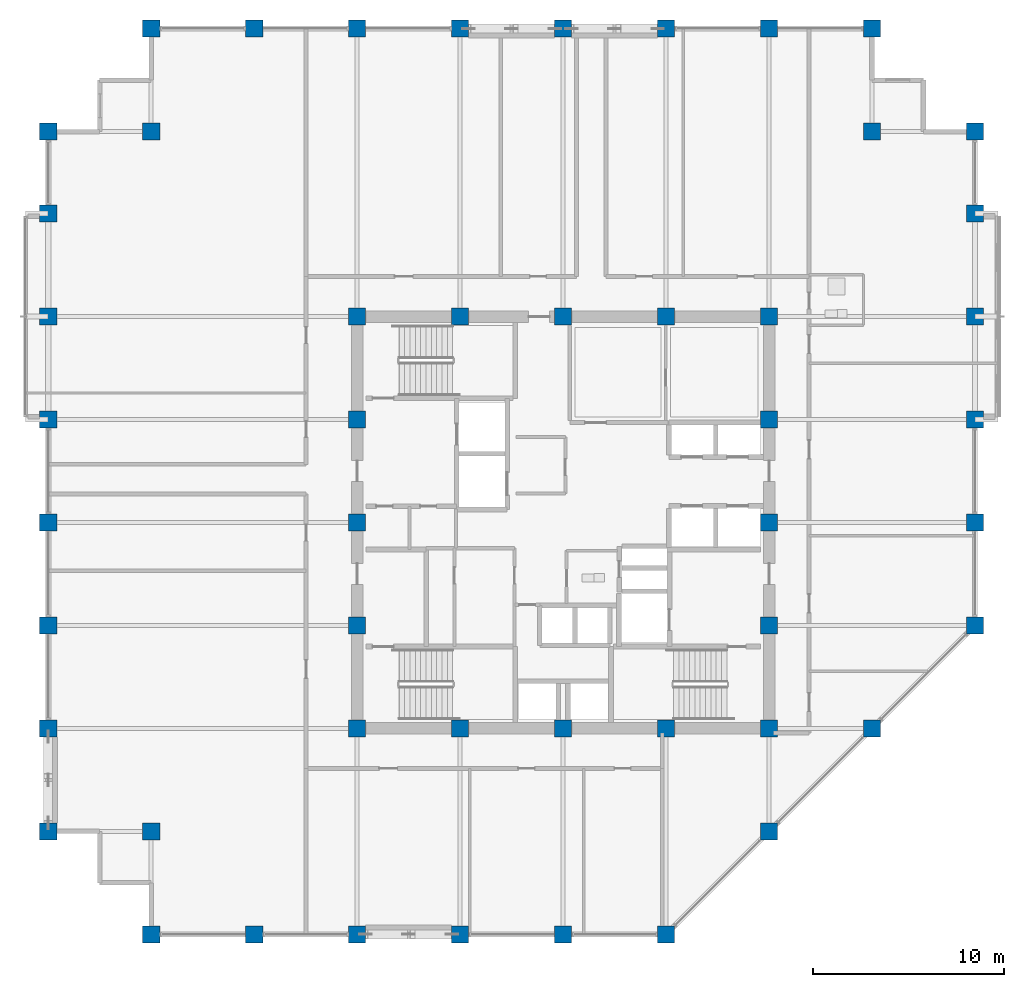
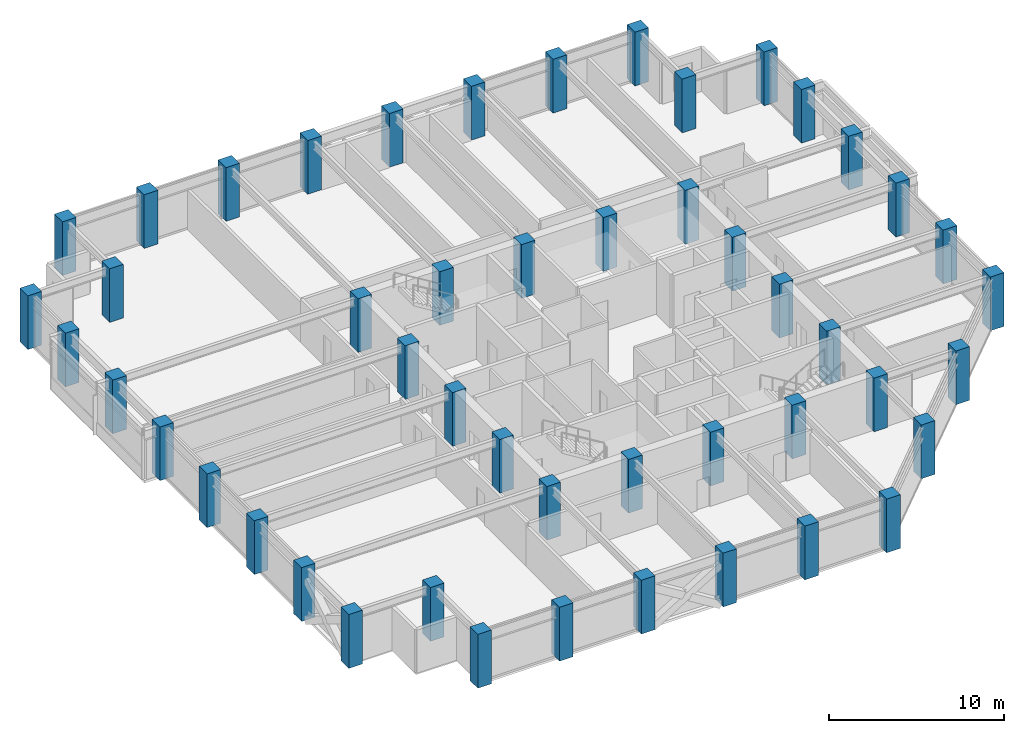
# One storey, part 1 of 32: 49 columns.
"""IFC4 building model written with IfcOpenShell, lengths in metres."""

from ifc_helpers import new_model, si_unit, direction, frame, origin, origin_2d, place, context, subcontext, project, spatial, rectangle, extrude, material, material_profile, profile_set, type_object, element, save


model = new_model("IFC4")

# Units and contexts
model_context = context("Model", 3, precision=1e-05, world=origin(), true_north=direction((0.0, 1.0)))
body_context = subcontext(model_context, "Body", "Model", "MODEL_VIEW")
ifc_project = project(units=[si_unit("LENGTHUNIT", "METRE"), si_unit("AREAUNIT", "SQUARE_METRE"), si_unit("VOLUMEUNIT", "CUBIC_METRE"), si_unit("PLANEANGLEUNIT", "RADIAN"), si_unit("MASSUNIT", "GRAM", prefix="KILO")], contexts=[model_context])

# Site, building, storey
site_placement = place(None, origin())
site = spatial("IfcSite", under=ifc_project, at=site_placement, CompositionType="ELEMENT")
building_placement = place(site_placement, origin())
building = spatial("IfcBuilding", under=site, at=building_placement, Name="Surkhivell Harbour Commons", CompositionType="ELEMENT")
storey_placement = place(building_placement, frame((0.0, 0.0, 189.75)))
storey = spatial("IfcBuildingStorey", under=building, at=storey_placement, Name="L49", CompositionType="ELEMENT", Elevation=189.75)

# Columns
ifc_material = material(Name="Concrete C60/75", Category="concrete")
ifc_material_profile = material_profile(ifc_material, rectangle(XDim=0.89990234375, YDim=0.89990234375, at=origin_2d()), Name="RC-COL-900x900")
ifc_profile_set = profile_set([ifc_material_profile], Name="Concrete C60/75")
column_type = type_object("IfcColumnType", Name="COL-TUBE-Z3A", PredefinedType="COLUMN", material=ifc_profile_set)
for number, where, z_axis, x_axis, name in (
    (1, (-27.0, -16.199951171875, 0.0), (0.0, 0.0, 1.0), (1.0, 0.0, 0.0), "L49 Column CT-3A (-27.0,-16.2)"),
    (2, (-27.0, -10.800048828125, 0.0), (0.0, 0.0, 1.0), (1.0, 0.0, 0.0), "L49 Column CT-3A (-27.0,-10.8)"),
    (3, (-27.0, -5.39990234375, 0.0), (0.0, 0.0, 1.0), (1.0, 0.0, 0.0), "L49 Column CT-3A (-27.0,-5.4)"),
    (4, (-27.0, 0.0, 0.0), (0.0, 0.0, 1.0), (1.0, 0.0, 0.0), "L49 Column CT-3A (-27.0,0.0)"),
    (5, (-27.0, 5.39990234375, 0.0), (0.0, 0.0, 1.0), (1.0, 0.0, 0.0), "L49 Column CT-3A (-27.0,5.4)"),
    (6, (-27.0, 10.800048828125, 0.0), (0.0, 0.0, 1.0), (1.0, 0.0, 0.0), "L49 Column CT-3A (-27.0,10.8)"),
    (7, (-27.0, 16.199951171875, 0.0), (0.0, 0.0, 1.0), (1.0, 0.0, 0.0), "L49 Column CT-3A (-27.0,16.2)"),
    (8, (-27.0, 20.5, 0.0), (0.0, 0.0, 1.0), (1.0, 0.0, 0.0), "L49 Column CT-3A (-27.0,20.5)"),
    (9, (-21.60009765625, -21.60009765625, 0.0), (0.0, 0.0, 1.0), (1.0, 0.0, 0.0), "L49 Column CT-3A (-21.6,-21.6)"),
    (10, (-21.60009765625, -16.199951171875, 0.0), (0.0, 0.0, 1.0), (1.0, 0.0, 0.0), "L49 Column CT-3A (-21.6,-16.2)"),
    (11, (-21.60009765625, 20.5, 0.0), (0.0, 0.0, 1.0), (1.0, 0.0, 0.0), "L49 Column CT-3A (-21.6,20.5)"),
    (12, (-21.60009765625, 25.89990234375, 0.0), (0.0, 0.0, 1.0), (1.0, 0.0, 0.0), "L49 Column CT-3A (-21.6,25.9)"),
    (13, (-16.199951171875, -21.60009765625, 0.0), (0.0, 0.0, 1.0), (1.0, 0.0, 0.0), "L49 Column CT-3A (-16.2,-21.6)"),
    (14, (-16.199951171875, 25.89990234375, 0.0), (0.0, 0.0, 1.0), (1.0, 0.0, 0.0), "L49 Column CT-3A (-16.2,25.9)"),
    (15, (-10.800048828125, -21.60009765625, 0.0), (0.0, 0.0, 1.0), (1.0, 0.0, 0.0), "L49 Column CT-3A (-10.8,-21.6)"),
    (16, (-10.800048828125, -10.800048828125, 0.0), (0.0, 0.0, 1.0), (1.0, 0.0, 0.0), "L49 Column CT-3A (-10.8,-10.8)"),
    (17, (-10.800048828125, -5.39990234375, 0.0), (0.0, 0.0, 1.0), (1.0, 0.0, 0.0), "L49 Column CT-3A (-10.8,-5.4)"),
    (18, (-10.800048828125, 0.0, 0.0), (0.0, 0.0, 1.0), (1.0, 0.0, 0.0), "L49 Column CT-3A (-10.8,0.0)"),
    (19, (-10.800048828125, 5.39990234375, 0.0), (0.0, 0.0, 1.0), (1.0, 0.0, 0.0), "L49 Column CT-3A (-10.8,5.4)"),
    (20, (-10.800048828125, 10.800048828125, 0.0), (0.0, 0.0, 1.0), (1.0, 0.0, 0.0), "L49 Column CT-3A (-10.8,10.8)"),
    (21, (-10.800048828125, 25.89990234375, 0.0), (0.0, 0.0, 1.0), (1.0, 0.0, 0.0), "L49 Column CT-3A (-10.8,25.9)"),
    (22, (-5.39990234375, -21.60009765625, 0.0), (0.0, 0.0, 1.0), (1.0, 0.0, 0.0), "L49 Column CT-3A (-5.4,-21.6)"),
    (23, (-5.39990234375, -10.800048828125, 0.0), (0.0, 0.0, 1.0), (1.0, 0.0, 0.0), "L49 Column CT-3A (-5.4,-10.8)"),
    (24, (-5.39990234375, 10.800048828125, 0.0), (0.0, 0.0, 1.0), (1.0, 0.0, 0.0), "L49 Column CT-3A (-5.4,10.8)"),
    (25, (-5.39990234375, 25.89990234375, 0.0), (0.0, 0.0, 1.0), (1.0, 0.0, 0.0), "L49 Column CT-3A (-5.4,25.9)"),
    (26, (0.0, -21.60009765625, 0.0), (0.0, 0.0, 1.0), (1.0, 0.0, 0.0), "L49 Column CT-3A (-0.0,-21.6)"),
    (27, (0.0, -10.800048828125, 0.0), (0.0, 0.0, 1.0), (1.0, 0.0, 0.0), "L49 Column CT-3A (0.0,-10.8)"),
    (28, (0.0, 10.800048828125, 0.0), (0.0, 0.0, 1.0), (1.0, 0.0, 0.0), "L49 Column CT-3A (0.0,10.8)"),
    (29, (0.0, 25.89990234375, 0.0), (0.0, 0.0, 1.0), (1.0, 0.0, 0.0), "L49 Column CT-3A (-0.0,25.9)"),
    (30, (5.39990234375, -21.60009765625, 0.0), (0.0, 0.0, 1.0), (1.0, 0.0, 0.0), "L49 Column CT-3A (5.4,-21.6)"),
    (31, (5.39990234375, -10.800048828125, 0.0), (0.0, 0.0, 1.0), (1.0, 0.0, 0.0), "L49 Column CT-3A (5.4,-10.8)"),
    (32, (5.39990234375, 10.800048828125, 0.0), (0.0, 0.0, 1.0), (1.0, 0.0, 0.0), "L49 Column CT-3A (5.4,10.8)"),
    (33, (5.39990234375, 25.89990234375, 0.0), (0.0, 0.0, 1.0), (1.0, 0.0, 0.0), "L49 Column CT-3A (5.4,25.9)"),
    (34, (10.800048828125, -16.199951171875, 0.0), (0.0, 0.0, 1.0), (1.0, 0.0, 0.0), "L49 Column CT-3A (10.8,-16.2)"),
    (35, (10.800048828125, -10.800048828125, 0.0), (0.0, 0.0, 1.0), (1.0, 0.0, 0.0), "L49 Column CT-3A (10.8,-10.8)"),
    (36, (10.800048828125, -5.39990234375, 0.0), (0.0, 0.0, 1.0), (1.0, 0.0, 0.0), "L49 Column CT-3A (10.8,-5.4)"),
    (37, (10.800048828125, 0.0, 0.0), (0.0, 0.0, 1.0), (1.0, 0.0, 0.0), "L49 Column CT-3A (10.8,0.0)"),
    (38, (10.800048828125, 5.39990234375, 0.0), (0.0, 0.0, 1.0), (1.0, 0.0, 0.0), "L49 Column CT-3A (10.8,5.4)"),
    (39, (10.800048828125, 10.800048828125, 0.0), (0.0, 0.0, 1.0), (1.0, 0.0, 0.0), "L49 Column CT-3A (10.8,10.8)"),
    (40, (10.800048828125, 25.89990234375, 0.0), (0.0, 0.0, 1.0), (1.0, 0.0, 0.0), "L49 Column CT-3A (10.8,25.9)"),
    (41, (16.199951171875, -10.800048828125, 0.0), (0.0, 0.0, 1.0), (1.0, 0.0, 0.0), "L49 Column CT-3A (16.2,-10.8)"),
    (42, (16.199951171875, 20.5, 0.0), (0.0, 0.0, 1.0), (1.0, 0.0, 0.0), "L49 Column CT-3A (16.2,20.5)"),
    (43, (16.199951171875, 25.89990234375, 0.0), (0.0, 0.0, 1.0), (1.0, 0.0, 0.0), "L49 Column CT-3A (16.2,25.9)"),
    (44, (21.60009765625, -5.39990234375, 0.0), (0.0, 0.0, 1.0), (1.0, 0.0, 0.0), "L49 Column CT-3A (21.6,-5.4)"),
    (45, (21.60009765625, 0.0, 0.0), (0.0, 0.0, 1.0), (1.0, 0.0, 0.0), "L49 Column CT-3A (21.6,0.0)"),
    (46, (21.60009765625, 5.39990234375, 0.0), (0.0, 0.0, 1.0), (1.0, 0.0, 0.0), "L49 Column CT-3A (21.6,5.4)"),
    (47, (21.60009765625, 10.800048828125, 0.0), (0.0, 0.0, 1.0), (1.0, 0.0, 0.0), "L49 Column CT-3A (21.6,10.8)"),
    (48, (21.60009765625, 16.199951171875, 0.0), (0.0, 0.0, 1.0), (1.0, 0.0, 0.0), "L49 Column CT-3A (21.6,16.2)"),
    (49, (21.60009765625, 20.5, 0.0), (0.0, 0.0, 1.0), (1.0, 0.0, 0.0), "L49 Column CT-3A (21.6,20.5)"),
):
    element("IfcColumn", number, at=place(storey_placement, frame(where, z_axis=z_axis, x_axis=x_axis)), inside=storey, type_object=column_type, Name=name, PredefinedType="COLUMN", context=body_context, shape_type="SweptSolid", body=[
        extrude(rectangle(XDim=0.89990234375, YDim=0.89990234375, at=origin_2d()), origin(), (0.0, 0.0, 1.0), 3.75),
    ])

save(model, "model.ifc")
